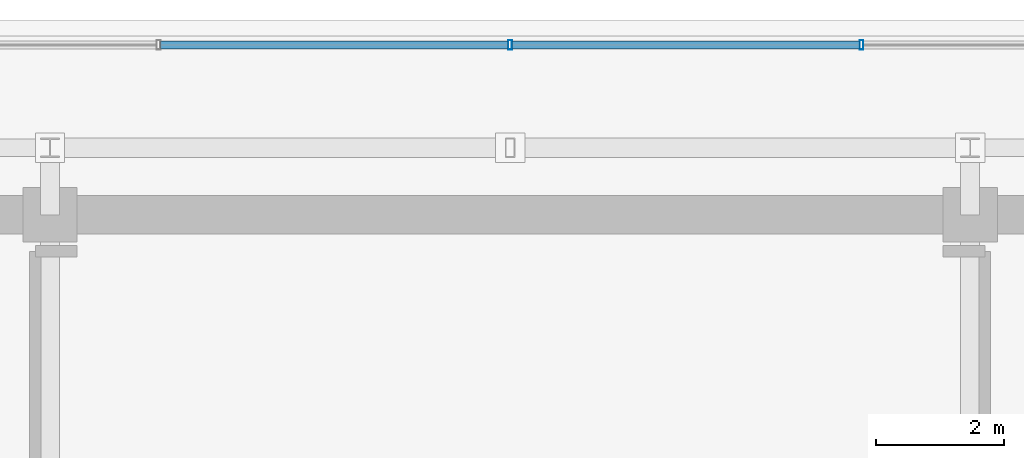
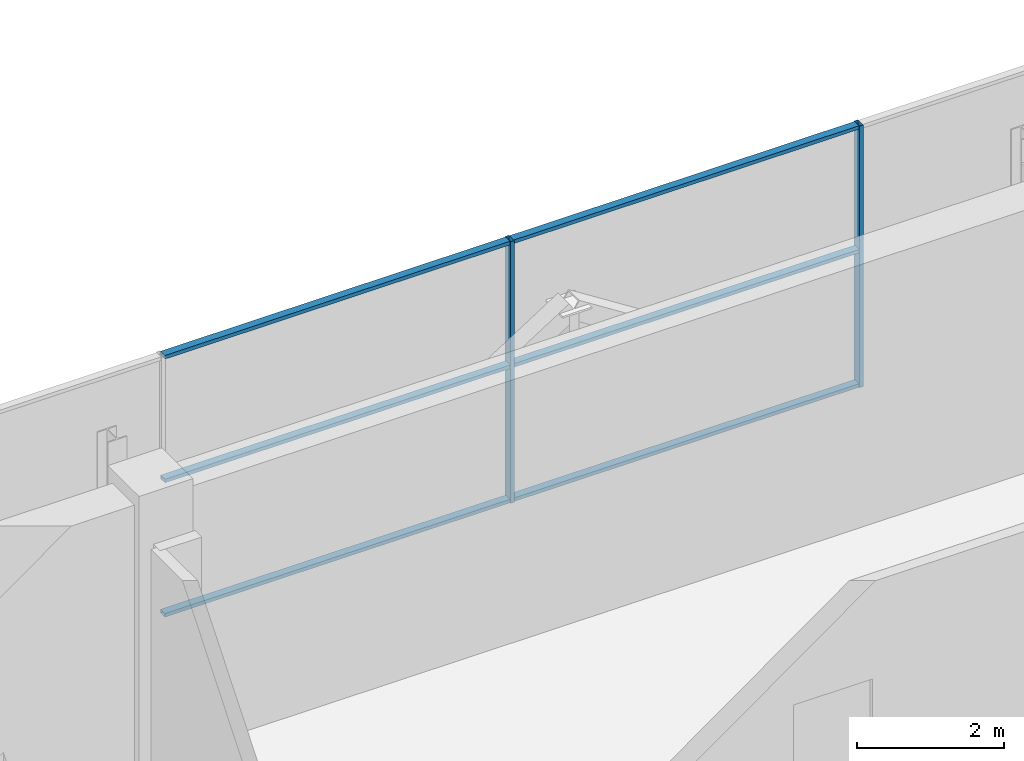
# One storey, part 20 of 26: 8 members, 1 element without a shape of its own.
"""IFC4 building model written with IfcOpenShell, lengths in metres."""

from ifc_helpers import new_model, si_unit, direction, frame, origin, origin_2d, place, context, subcontext, project, spatial, hollow_rectangle, extrude, source, transform, mapped, material, layer, layer_set, material_profile, profile_set, type_object, element, aggregate, save


model = new_model("IFC4")

# Units and contexts
model_context = context("Model", 3, precision=1e-05, world=origin(), true_north=direction((0.0, 1.0)))
body_context = subcontext(model_context, "Body", "Model", "MODEL_VIEW")
ifc_project = project(units=[si_unit("LENGTHUNIT", "METRE"), si_unit("AREAUNIT", "SQUARE_METRE"), si_unit("VOLUMEUNIT", "CUBIC_METRE"), si_unit("PLANEANGLEUNIT", "RADIAN"), si_unit("MASSUNIT", "GRAM", prefix="KILO")], contexts=[model_context])

# Site, building, storey
site_placement = place(None, origin())
site = spatial("IfcSite", under=ifc_project, at=site_placement, CompositionType="ELEMENT")
building_placement = place(site_placement, origin())
building = spatial("IfcBuilding", under=site, at=building_placement, Name="Zarnakvel Exchange Tower", CompositionType="ELEMENT")
storey_placement = place(building_placement, frame((0.0, 0.0, 280.800048828125)))
storey = spatial("IfcBuildingStorey", under=building, at=storey_placement, Name="Crown L79", CompositionType="ELEMENT", Elevation=280.800048828125)

# Curtain wall, members
ifc_material = material(Name="Architectural Bronze Anodised Aluminium", Category="aluminium")
ifc_layer = layer(ifc_material, 0.14990234375)
ifc_layer_set = layer_set([ifc_layer], Name="Architectural Bronze Anodised Aluminium")
curtain_wall_type = type_object("IfcCurtainWallType", Name="CW-07", PredefinedType="NOTDEFINED", material=ifc_layer_set)
curtain_wall_placement = place(storey_placement, origin())
curtain_wall = element("IfcCurtainWall", 1, at=curtain_wall_placement, inside=storey, type_object=curtain_wall_type, Name="Crown L79 Curtain Wall CW-Crown L79-N (CW-07)", PredefinedType="NOTDEFINED")
ifc_material_profile_1 = material_profile(ifc_material, hollow_rectangle(XDim=0.14990234375, YDim=0.06005859375, WallThickness=0.00390625, at=origin_2d()))
ifc_profile_set_1 = profile_set([ifc_material_profile_1], Name="Architectural Bronze Anodised Aluminium")
member_type_1 = type_object("IfcMemberType", Name="CWM-07", PredefinedType="MULLION", material=ifc_profile_set_1)
shared_shape_1 = source(origin(), body_context, "Body", "SweptSolid", [
    extrude(hollow_rectangle(XDim=0.14990234375, YDim=0.06005859375, WallThickness=0.00390625, at=origin_2d()), origin(), (0.0, 0.0, 1.0), 4.35986328125),
])
member_1_placement = place(storey_placement, frame((0.0, 16.159912109375, 0.0), z_axis=(0.0, 0.0, 1.0), x_axis=(0.0, 1.0, 0.0)))
member_1 = element("IfcMember", 2, at=member_1_placement, type_object=member_type_1, Name="CW-07 mullion 4", PredefinedType="MULLION", context=body_context, shape_type="MappedRepresentation", body=[
    mapped(shared_shape_1, transform((0.0, 0.0, 0.0), x_axis=(1.0, 0.0, 0.0), y_axis=(0.0, 1.0, 0.0), z_axis=(0.0, 0.0, 1.0), scale=1.0)),
])
member_2_placement = place(storey_placement, frame((5.5, 16.159912109375, 0.0), z_axis=(0.0, 0.0, 1.0), x_axis=(0.0, 1.0, 0.0)))
member_2 = element("IfcMember", 3, at=member_2_placement, type_object=member_type_1, Name="CW-07 mullion 5", PredefinedType="MULLION", context=body_context, shape_type="MappedRepresentation", body=[
    mapped(shared_shape_1, transform((0.0, 0.0, 0.0), x_axis=(1.0, 0.0, 0.0), y_axis=(0.0, 1.0, 0.0), z_axis=(0.0, 0.0, 1.0), scale=1.0)),
])
ifc_material_profile_2 = material_profile(ifc_material, hollow_rectangle(XDim=0.1201171875, YDim=0.06005859375, WallThickness=0.00390625, at=origin_2d()))
ifc_profile_set_2 = profile_set([ifc_material_profile_2], Name="Architectural Bronze Anodised Aluminium")
member_type_2 = type_object("IfcMemberType", Name="CWT-07", PredefinedType="USERDEFINED", material=ifc_profile_set_2)
shared_shape_2 = source(origin(), body_context, "Body", "SweptSolid", [
    extrude(hollow_rectangle(XDim=0.1201171875, YDim=0.06005859375, WallThickness=0.00390625, at=origin_2d()), origin(), (0.0, 0.0, 1.0), 5.43994140625),
])
member_3_placement = place(storey_placement, frame((-5.469970703125, 16.159912109375, 0.030029296875), z_axis=(1.0, 0.0, 0.0), x_axis=(0.0, 1.0, 0.0)))
member_3 = element("IfcMember", 4, at=member_3_placement, type_object=member_type_2, Name="CW-07 transom 3.1", ObjectType="TRANSOM", PredefinedType="USERDEFINED", context=body_context, shape_type="MappedRepresentation", body=[
    mapped(shared_shape_2, transform((0.0, 0.0, 0.0), x_axis=(1.0, 0.0, 0.0), y_axis=(0.0, 1.0, 0.0), z_axis=(0.0, 0.0, 1.0), scale=1.0)),
])
member_4_placement = place(storey_placement, frame((-5.469970703125, 16.159912109375, 2.26708984375), z_axis=(1.0, 0.0, 0.0), x_axis=(0.0, 1.0, 0.0)))
member_4 = element("IfcMember", 5, at=member_4_placement, type_object=member_type_2, Name="CW-07 transom 3.2", ObjectType="TRANSOM", PredefinedType="USERDEFINED", context=body_context, shape_type="MappedRepresentation", body=[
    mapped(shared_shape_2, transform((0.0, 0.0, 0.0), x_axis=(1.0, 0.0, 0.0), y_axis=(0.0, 1.0, 0.0), z_axis=(0.0, 0.0, 1.0), scale=1.0)),
])
member_5_placement = place(storey_placement, frame((-5.469970703125, 16.159912109375, 4.329833984375), z_axis=(1.0, 0.0, 0.0), x_axis=(0.0, 1.0, 0.0)))
member_5 = element("IfcMember", 6, at=member_5_placement, type_object=member_type_2, Name="CW-07 transom 3.3", ObjectType="TRANSOM", PredefinedType="USERDEFINED", context=body_context, shape_type="MappedRepresentation", body=[
    mapped(shared_shape_2, transform((0.0, 0.0, 0.0), x_axis=(1.0, 0.0, 0.0), y_axis=(0.0, 1.0, 0.0), z_axis=(0.0, 0.0, 1.0), scale=1.0)),
])
member_6_placement = place(storey_placement, frame((0.030029296875, 16.159912109375, 0.030029296875), z_axis=(1.0, 0.0, 0.0), x_axis=(0.0, 1.0, 0.0)))
member_6 = element("IfcMember", 7, at=member_6_placement, type_object=member_type_2, Name="CW-07 transom 4.1", ObjectType="TRANSOM", PredefinedType="USERDEFINED", context=body_context, shape_type="MappedRepresentation", body=[
    mapped(shared_shape_2, transform((0.0, 0.0, 0.0), x_axis=(1.0, 0.0, 0.0), y_axis=(0.0, 1.0, 0.0), z_axis=(0.0, 0.0, 1.0), scale=1.0)),
])
member_7_placement = place(storey_placement, frame((0.030029296875, 16.159912109375, 2.26708984375), z_axis=(1.0, 0.0, 0.0), x_axis=(0.0, 1.0, 0.0)))
member_7 = element("IfcMember", 8, at=member_7_placement, type_object=member_type_2, Name="CW-07 transom 4.2", ObjectType="TRANSOM", PredefinedType="USERDEFINED", context=body_context, shape_type="MappedRepresentation", body=[
    mapped(shared_shape_2, transform((0.0, 0.0, 0.0), x_axis=(1.0, 0.0, 0.0), y_axis=(0.0, 1.0, 0.0), z_axis=(0.0, 0.0, 1.0), scale=1.0)),
])
member_8_placement = place(storey_placement, frame((0.030029296875, 16.159912109375, 4.329833984375), z_axis=(1.0, 0.0, 0.0), x_axis=(0.0, 1.0, 0.0)))
member_8 = element("IfcMember", 9, at=member_8_placement, type_object=member_type_2, Name="CW-07 transom 4.3", ObjectType="TRANSOM", PredefinedType="USERDEFINED", context=body_context, shape_type="MappedRepresentation", body=[
    mapped(shared_shape_2, transform((0.0, 0.0, 0.0), x_axis=(1.0, 0.0, 0.0), y_axis=(0.0, 1.0, 0.0), z_axis=(0.0, 0.0, 1.0), scale=1.0)),
])
aggregate(curtain_wall, [member_1, member_2, member_3, member_4, member_5, member_6, member_7, member_8])

save(model, "model.ifc")
